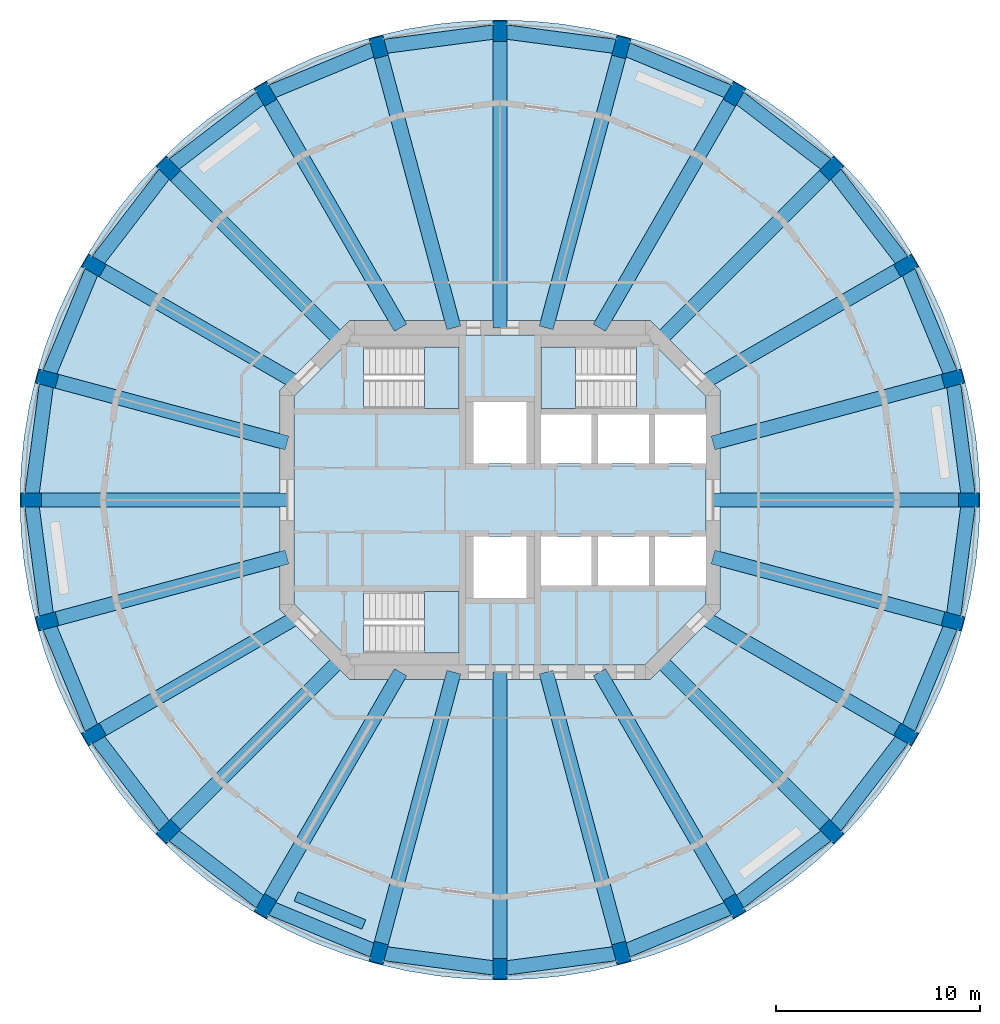
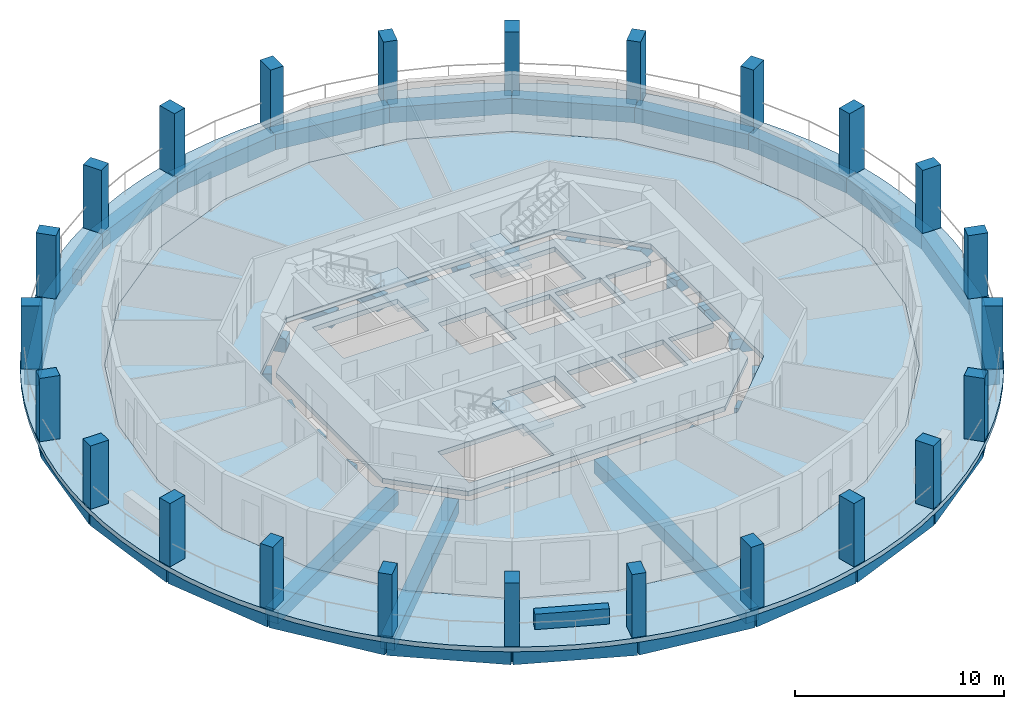
# One storey, part 1 of 9: 48 beams, 24 columns, 6 slabs, 1 wall, 3 elements without a shape of their own.
"""IFC4 building model written with IfcOpenShell, lengths in metres."""

from ifc_helpers import new_model, si_unit, direction, frame, frame_2d, origin, origin_2d, place, context, subcontext, project, spatial, polyline, rectangle, outline, extrude, material, layer, layer_set, material_profile, profile_set, type_object, element, aggregate, save


model = new_model("IFC4")

# Units and contexts
model_context = context("Model", 3, precision=1e-05, world=origin(), true_north=direction((0.0, 1.0)))
body_context = subcontext(model_context, "Body", "Model", "MODEL_VIEW")
ifc_project = project(units=[si_unit("LENGTHUNIT", "METRE"), si_unit("AREAUNIT", "SQUARE_METRE"), si_unit("VOLUMEUNIT", "CUBIC_METRE"), si_unit("PLANEANGLEUNIT", "RADIAN"), si_unit("MASSUNIT", "GRAM", prefix="KILO")], contexts=[model_context])

# Site, building, storey
site_placement = place(None, origin())
site = spatial("IfcSite", under=ifc_project, at=site_placement, CompositionType="ELEMENT")
building_placement = place(site_placement, origin())
building = spatial("IfcBuilding", under=site, at=building_placement, Name="Torre Triforio", CompositionType="ELEMENT")
storey_placement = place(building_placement, frame((0.0, 0.0, 211.300048828125)))
storey = spatial("IfcBuildingStorey", under=building, at=storey_placement, Name="L48", CompositionType="ELEMENT", Elevation=211.300048828125)

# Columns
ifc_material_1 = material(Name="Concrete C50", Category="concrete")
ifc_material_profile_1 = material_profile(ifc_material_1, rectangle(XDim=0.699951171875, YDim=1.0, at=origin_2d()), Name="RC 700x1000")
ifc_profile_set_1 = profile_set([ifc_material_profile_1], Name="Concrete C50")
column_type = type_object("IfcColumnType", Name="Pier RC 700x1000 C50", PredefinedType="COLUMN", material=ifc_profile_set_1)
for number, where, z_axis, x_axis, name in (
    (1, (23.0, 0.0, 0.0), (0.0, 0.0, 1.0), (0.0, 1.0, 0.0), "COL.R.L48.00"),
    (2, (22.21630859375, 5.952880859375, 0.0), (0.0, 0.0, 1.0), (-0.258819045103, 0.965925826289, 0.0), "COL.R.L48.01"),
    (3, (19.918701171875, 11.5, 0.0), (0.0, 0.0, 1.0), (-0.5, 0.866025403784, 0.0), "COL.R.L48.02"),
    (4, (16.263427734375, 16.263427734375, 0.0), (0.0, 0.0, 1.0), (-0.707106781187, 0.707106781187, 0.0), "COL.R.L48.03"),
    (5, (11.5, 19.918701171875, 0.0), (0.0, 0.0, 1.0), (-0.866025403784, 0.5, 0.0), "COL.R.L48.04"),
    (6, (5.952880859375, 22.21630859375, 0.0), (0.0, 0.0, 1.0), (-0.965925826289, 0.258819045103, 0.0), "COL.R.L48.05"),
    (7, (0.0, 23.0, 0.0), (0.0, 0.0, 1.0), (-1.0, 0.0, 0.0), "COL.R.L48.06"),
    (8, (-5.952880859375, 22.21630859375, 0.0), (0.0, 0.0, 1.0), (-0.965925826289, -0.258819045103, 0.0), "COL.R.L48.07"),
    (9, (-11.5, 19.918701171875, 0.0), (0.0, 0.0, 1.0), (-0.866025403784, -0.5, 0.0), "COL.R.L48.08"),
    (10, (-16.263427734375, 16.263427734375, 0.0), (0.0, 0.0, 1.0), (-0.707106781187, -0.707106781187, 0.0), "COL.R.L48.09"),
    (11, (-19.918701171875, 11.5, 0.0), (0.0, 0.0, 1.0), (-0.5, -0.866025403784, 0.0), "COL.R.L48.10"),
    (12, (-22.21630859375, 5.952880859375, 0.0), (0.0, 0.0, 1.0), (-0.258819045103, -0.965925826289, 0.0), "COL.R.L48.11"),
    (13, (-23.0, 0.0, 0.0), (0.0, 0.0, 1.0), (0.0, -1.0, 0.0), "COL.R.L48.12"),
    (14, (-22.21630859375, -5.952880859375, 0.0), (0.0, 0.0, 1.0), (0.258819045103, -0.965925826289, 0.0), "COL.R.L48.13"),
    (15, (-19.918701171875, -11.5, 0.0), (0.0, 0.0, 1.0), (0.5, -0.866025403784, 0.0), "COL.R.L48.14"),
    (16, (-16.263427734375, -16.263427734375, 0.0), (0.0, 0.0, 1.0), (0.707106781187, -0.707106781187, 0.0), "COL.R.L48.15"),
    (17, (-11.5, -19.918701171875, 0.0), (0.0, 0.0, 1.0), (0.866025403784, -0.5, 0.0), "COL.R.L48.16"),
    (18, (-5.952880859375, -22.21630859375, 0.0), (0.0, 0.0, 1.0), (0.965925826289, -0.258819045103, 0.0), "COL.R.L48.17"),
    (19, (0.0, -23.0, 0.0), (0.0, 0.0, 1.0), (1.0, 0.0, 0.0), "COL.R.L48.18"),
    (20, (5.952880859375, -22.21630859375, 0.0), (0.0, 0.0, 1.0), (0.965925826289, 0.258819045103, 0.0), "COL.R.L48.19"),
    (21, (11.5, -19.918701171875, 0.0), (0.0, 0.0, 1.0), (0.866025403784, 0.5, 0.0), "COL.R.L48.20"),
    (22, (16.263427734375, -16.263427734375, 0.0), (0.0, 0.0, 1.0), (0.707106781187, 0.707106781187, 0.0), "COL.R.L48.21"),
    (23, (19.918701171875, -11.5, 0.0), (0.0, 0.0, 1.0), (0.5, 0.866025403784, 0.0), "COL.R.L48.22"),
    (24, (22.21630859375, -5.952880859375, 0.0), (0.0, 0.0, 1.0), (0.258819045103, 0.965925826289, 0.0), "COL.R.L48.23"),
):
    element("IfcColumn", number, at=place(storey_placement, frame(where, z_axis=z_axis, x_axis=x_axis)), inside=storey, type_object=column_type, Name=name, PredefinedType="COLUMN", context=body_context, shape_type="SweptSolid", body=[
        extrude(rectangle(XDim=0.699951171875, YDim=1.0, at=origin_2d()), origin(), (0.0, 0.0, 1.0), 3.699951171875),
    ])

# Beams
ifc_material_2 = material(Name="Concrete C40", Category="concrete")
ifc_material_profile_2 = material_profile(ifc_material_2, rectangle(XDim=0.699951171875, YDim=0.800048828125, at=origin_2d()), Name="RC 700x800")
ifc_profile_set_2 = profile_set([ifc_material_profile_2], Name="Concrete C40")
beam_type_1 = type_object("IfcBeamType", Name="Radial beam RC 700x800 C40", PredefinedType="BEAM", material=ifc_profile_set_2)
beam_1_placement = place(storey_placement, frame((10.449951171875, 0.0, -0.679931640625), z_axis=(1.0, 0.0, 0.0), x_axis=(0.0, 1.0, 0.0)))
element("IfcBeam", 25, at=beam_1_placement, inside=storey, type_object=beam_type_1, Name="BM.R.L48.00", PredefinedType="BEAM", context=body_context, shape_type="SweptSolid", body=[
    extrude(rectangle(XDim=0.699951171875, YDim=0.800048828125, at=origin_2d()), origin(), (0.0, 0.0, 1.0), 12.550048828125),
])
beam_2_placement = place(storey_placement, frame((10.449951171875, 2.800048828125, -0.679931640625), z_axis=(0.965924880947, 0.258822573141, 0.0), x_axis=(-0.258822573141, 0.965924880947, 0.0)))
element("IfcBeam", 26, at=beam_2_placement, inside=storey, type_object=beam_type_1, Name="BM.R.L48.01", PredefinedType="BEAM", context=body_context, shape_type="SweptSolid", body=[
    extrude(rectangle(XDim=0.699951171875, YDim=0.800048828125, at=origin_2d()), origin(), (0.0, 0.0, 1.0), 12.181396484375),
])
beam_3_placement = place(storey_placement, frame((9.9501953125, 5.744873046875, -0.679931640625), z_axis=(0.866032648629, 0.499987451351, 0.0), x_axis=(-0.499987451351, 0.866032648629, 0.0)))
element("IfcBeam", 27, at=beam_3_placement, inside=storey, type_object=beam_type_1, Name="BM.R.L48.02", PredefinedType="BEAM", context=body_context, shape_type="SweptSolid", body=[
    extrude(rectangle(XDim=0.699951171875, YDim=0.800048828125, at=origin_2d()), origin(), (0.0, 0.0, 1.0), 11.510498046875),
])
beam_4_placement = place(storey_placement, frame((7.847412109375, 7.847412109375, -0.679931640625), z_axis=(0.707106781187, 0.707106781187, 0.0), x_axis=(-0.707106781187, 0.707106781187, 0.0)))
element("IfcBeam", 28, at=beam_4_placement, inside=storey, type_object=beam_type_1, Name="BM.R.L48.03", PredefinedType="BEAM", context=body_context, shape_type="SweptSolid", body=[
    extrude(rectangle(XDim=0.699951171875, YDim=0.800048828125, at=origin_2d()), origin(), (0.0, 0.0, 1.0), 11.902099609375),
])
beam_5_placement = place(storey_placement, frame((4.878662109375, 8.449951171875, -0.679931640625), z_axis=(0.499991617607, 0.866030243307, 0.0), x_axis=(-0.866030243307, 0.499991617607, 0.0)))
element("IfcBeam", 29, at=beam_5_placement, inside=storey, type_object=beam_type_1, Name="BM.R.L48.04", PredefinedType="BEAM", context=body_context, shape_type="SweptSolid", body=[
    extrude(rectangle(XDim=0.699951171875, YDim=0.800048828125, at=origin_2d()), origin(), (0.0, 0.0, 1.0), 13.242919921875),
])
beam_6_placement = place(storey_placement, frame((2.26416015625, 8.449951171875, -0.679931640625), z_axis=(0.258821424719, 0.96592518867, 0.0), x_axis=(-0.96592518867, 0.258821424719, 0.0)))
element("IfcBeam", 30, at=beam_6_placement, inside=storey, type_object=beam_type_1, Name="BM.R.L48.05", PredefinedType="BEAM", context=body_context, shape_type="SweptSolid", body=[
    extrude(rectangle(XDim=0.699951171875, YDim=0.800048828125, at=origin_2d()), origin(), (0.0, 0.0, 1.0), 14.251953125),
])
beam_7_placement = place(storey_placement, frame((0.0, 8.449951171875, -0.679931640625), z_axis=(0.0, 1.0, 0.0), x_axis=(-1.0, 0.0, 0.0)))
element("IfcBeam", 31, at=beam_7_placement, inside=storey, type_object=beam_type_1, Name="BM.R.L48.06", PredefinedType="BEAM", context=body_context, shape_type="SweptSolid", body=[
    extrude(rectangle(XDim=0.699951171875, YDim=0.800048828125, at=origin_2d()), origin(), (0.0, 0.0, 1.0), 14.550048828125),
])
beam_8_placement = place(storey_placement, frame((-2.26416015625, 8.449951171875, -0.679931640625), z_axis=(-0.258821424719, 0.96592518867, 0.0), x_axis=(-0.96592518867, -0.258821424719, 0.0)))
element("IfcBeam", 32, at=beam_8_placement, inside=storey, type_object=beam_type_1, Name="BM.R.L48.07", PredefinedType="BEAM", context=body_context, shape_type="SweptSolid", body=[
    extrude(rectangle(XDim=0.699951171875, YDim=0.800048828125, at=origin_2d()), origin(), (0.0, 0.0, 1.0), 14.251953125),
])
beam_9_placement = place(storey_placement, frame((-4.878662109375, 8.449951171875, -0.679931640625), z_axis=(-0.499991617607, 0.866030243307, 0.0), x_axis=(-0.866030243307, -0.499991617607, 0.0)))
element("IfcBeam", 33, at=beam_9_placement, inside=storey, type_object=beam_type_1, Name="BM.R.L48.08", PredefinedType="BEAM", context=body_context, shape_type="SweptSolid", body=[
    extrude(rectangle(XDim=0.699951171875, YDim=0.800048828125, at=origin_2d()), origin(), (0.0, 0.0, 1.0), 13.242919921875),
])
beam_10_placement = place(storey_placement, frame((-7.847412109375, 7.847412109375, -0.679931640625), z_axis=(-0.707106781187, 0.707106781187, 0.0), x_axis=(-0.707106781187, -0.707106781187, 0.0)))
element("IfcBeam", 34, at=beam_10_placement, inside=storey, type_object=beam_type_1, Name="BM.R.L48.09", PredefinedType="BEAM", context=body_context, shape_type="SweptSolid", body=[
    extrude(rectangle(XDim=0.699951171875, YDim=0.800048828125, at=origin_2d()), origin(), (0.0, 0.0, 1.0), 11.902099609375),
])
beam_11_placement = place(storey_placement, frame((-9.9501953125, 5.744873046875, -0.679931640625), z_axis=(-0.866032648629, 0.499987451351, 0.0), x_axis=(-0.499987451351, -0.866032648629, 0.0)))
element("IfcBeam", 35, at=beam_11_placement, inside=storey, type_object=beam_type_1, Name="BM.R.L48.10", PredefinedType="BEAM", context=body_context, shape_type="SweptSolid", body=[
    extrude(rectangle(XDim=0.699951171875, YDim=0.800048828125, at=origin_2d()), origin(), (0.0, 0.0, 1.0), 11.510498046875),
])
beam_12_placement = place(storey_placement, frame((-10.449951171875, 2.800048828125, -0.679931640625), z_axis=(-0.965924880947, 0.258822573141, 0.0), x_axis=(-0.258822573141, -0.965924880947, 0.0)))
element("IfcBeam", 36, at=beam_12_placement, inside=storey, type_object=beam_type_1, Name="BM.R.L48.11", PredefinedType="BEAM", context=body_context, shape_type="SweptSolid", body=[
    extrude(rectangle(XDim=0.699951171875, YDim=0.800048828125, at=origin_2d()), origin(), (0.0, 0.0, 1.0), 12.181396484375),
])
beam_13_placement = place(storey_placement, frame((-10.449951171875, 0.0, -0.679931640625), z_axis=(-1.0, 0.0, 0.0), x_axis=(0.0, -1.0, 0.0)))
element("IfcBeam", 37, at=beam_13_placement, inside=storey, type_object=beam_type_1, Name="BM.R.L48.12", PredefinedType="BEAM", context=body_context, shape_type="SweptSolid", body=[
    extrude(rectangle(XDim=0.699951171875, YDim=0.800048828125, at=origin_2d()), origin(), (0.0, 0.0, 1.0), 12.550048828125),
])
beam_14_placement = place(storey_placement, frame((-10.449951171875, -2.800048828125, -0.679931640625), z_axis=(-0.965924880947, -0.258822573141, 0.0), x_axis=(0.258822573141, -0.965924880947, 0.0)))
element("IfcBeam", 38, at=beam_14_placement, inside=storey, type_object=beam_type_1, Name="BM.R.L48.13", PredefinedType="BEAM", context=body_context, shape_type="SweptSolid", body=[
    extrude(rectangle(XDim=0.699951171875, YDim=0.800048828125, at=origin_2d()), origin(), (0.0, 0.0, 1.0), 12.181396484375),
])
beam_15_placement = place(storey_placement, frame((-9.9501953125, -5.744873046875, -0.679931640625), z_axis=(-0.866032648629, -0.499987451351, 0.0), x_axis=(0.499987451351, -0.866032648629, 0.0)))
element("IfcBeam", 39, at=beam_15_placement, inside=storey, type_object=beam_type_1, Name="BM.R.L48.14", PredefinedType="BEAM", context=body_context, shape_type="SweptSolid", body=[
    extrude(rectangle(XDim=0.699951171875, YDim=0.800048828125, at=origin_2d()), origin(), (0.0, 0.0, 1.0), 11.510498046875),
])
beam_16_placement = place(storey_placement, frame((-7.847412109375, -7.847412109375, -0.679931640625), z_axis=(-0.707106781187, -0.707106781187, 0.0), x_axis=(0.707106781187, -0.707106781187, 0.0)))
element("IfcBeam", 40, at=beam_16_placement, inside=storey, type_object=beam_type_1, Name="BM.R.L48.15", PredefinedType="BEAM", context=body_context, shape_type="SweptSolid", body=[
    extrude(rectangle(XDim=0.699951171875, YDim=0.800048828125, at=origin_2d()), origin(), (0.0, 0.0, 1.0), 11.902099609375),
])
beam_17_placement = place(storey_placement, frame((-4.878662109375, -8.449951171875, -0.679931640625), z_axis=(-0.499991617607, -0.866030243307, 0.0), x_axis=(0.866030243307, -0.499991617607, 0.0)))
element("IfcBeam", 41, at=beam_17_placement, inside=storey, type_object=beam_type_1, Name="BM.R.L48.16", PredefinedType="BEAM", context=body_context, shape_type="SweptSolid", body=[
    extrude(rectangle(XDim=0.699951171875, YDim=0.800048828125, at=origin_2d()), origin(), (0.0, 0.0, 1.0), 13.242919921875),
])
beam_18_placement = place(storey_placement, frame((-2.26416015625, -8.449951171875, -0.679931640625), z_axis=(-0.258821424719, -0.96592518867, 0.0), x_axis=(0.96592518867, -0.258821424719, 0.0)))
element("IfcBeam", 42, at=beam_18_placement, inside=storey, type_object=beam_type_1, Name="BM.R.L48.17", PredefinedType="BEAM", context=body_context, shape_type="SweptSolid", body=[
    extrude(rectangle(XDim=0.699951171875, YDim=0.800048828125, at=origin_2d()), origin(), (0.0, 0.0, 1.0), 14.251953125),
])
beam_19_placement = place(storey_placement, frame((0.0, -8.449951171875, -0.679931640625), z_axis=(0.0, -1.0, 0.0), x_axis=(1.0, 0.0, 0.0)))
element("IfcBeam", 43, at=beam_19_placement, inside=storey, type_object=beam_type_1, Name="BM.R.L48.18", PredefinedType="BEAM", context=body_context, shape_type="SweptSolid", body=[
    extrude(rectangle(XDim=0.699951171875, YDim=0.800048828125, at=origin_2d()), origin(), (0.0, 0.0, 1.0), 14.550048828125),
])
beam_20_placement = place(storey_placement, frame((2.26416015625, -8.449951171875, -0.679931640625), z_axis=(0.258821424719, -0.96592518867, 0.0), x_axis=(0.96592518867, 0.258821424719, 0.0)))
element("IfcBeam", 44, at=beam_20_placement, inside=storey, type_object=beam_type_1, Name="BM.R.L48.19", PredefinedType="BEAM", context=body_context, shape_type="SweptSolid", body=[
    extrude(rectangle(XDim=0.699951171875, YDim=0.800048828125, at=origin_2d()), origin(), (0.0, 0.0, 1.0), 14.251953125),
])
beam_21_placement = place(storey_placement, frame((4.878662109375, -8.449951171875, -0.679931640625), z_axis=(0.499991617607, -0.866030243307, 0.0), x_axis=(0.866030243307, 0.499991617607, 0.0)))
element("IfcBeam", 45, at=beam_21_placement, inside=storey, type_object=beam_type_1, Name="BM.R.L48.20", PredefinedType="BEAM", context=body_context, shape_type="SweptSolid", body=[
    extrude(rectangle(XDim=0.699951171875, YDim=0.800048828125, at=origin_2d()), origin(), (0.0, 0.0, 1.0), 13.242919921875),
])
beam_22_placement = place(storey_placement, frame((7.847412109375, -7.847412109375, -0.679931640625), z_axis=(0.707106781187, -0.707106781187, 0.0), x_axis=(0.707106781187, 0.707106781187, 0.0)))
element("IfcBeam", 46, at=beam_22_placement, inside=storey, type_object=beam_type_1, Name="BM.R.L48.21", PredefinedType="BEAM", context=body_context, shape_type="SweptSolid", body=[
    extrude(rectangle(XDim=0.699951171875, YDim=0.800048828125, at=origin_2d()), origin(), (0.0, 0.0, 1.0), 11.902099609375),
])
beam_23_placement = place(storey_placement, frame((9.9501953125, -5.744873046875, -0.679931640625), z_axis=(0.866032648629, -0.499987451351, 0.0), x_axis=(0.499987451351, 0.866032648629, 0.0)))
element("IfcBeam", 47, at=beam_23_placement, inside=storey, type_object=beam_type_1, Name="BM.R.L48.22", PredefinedType="BEAM", context=body_context, shape_type="SweptSolid", body=[
    extrude(rectangle(XDim=0.699951171875, YDim=0.800048828125, at=origin_2d()), origin(), (0.0, 0.0, 1.0), 11.510498046875),
])
beam_24_placement = place(storey_placement, frame((10.449951171875, -2.800048828125, -0.679931640625), z_axis=(0.965924880947, -0.258822573141, 0.0), x_axis=(0.258822573141, 0.965924880947, 0.0)))
element("IfcBeam", 48, at=beam_24_placement, inside=storey, type_object=beam_type_1, Name="BM.R.L48.23", PredefinedType="BEAM", context=body_context, shape_type="SweptSolid", body=[
    extrude(rectangle(XDim=0.699951171875, YDim=0.800048828125, at=origin_2d()), origin(), (0.0, 0.0, 1.0), 12.181396484375),
])
ifc_material_profile_3 = material_profile(ifc_material_2, rectangle(XDim=0.699951171875, YDim=0.89990234375, at=origin_2d()), Name="RC 700x900")
ifc_profile_set_3 = profile_set([ifc_material_profile_3], Name="Concrete C40")
beam_type_2 = type_object("IfcBeamType", Name="Spandrel beam RC 700x900 C40", PredefinedType="SPANDREL", material=ifc_profile_set_3)
for number, where, z_axis, x_axis, name in (
    (49, (23.0, 0.0, -0.72998046875), (-0.130522880875, 0.991445297315, 0.0), (-0.991445297315, -0.130522880875, 0.0), "BM.S.L48.00"),
    (50, (22.21630859375, 5.952880859375, -0.72998046875), (-0.382671411433, 0.923884511653, 0.0), (-0.923884511653, -0.382671411433, 0.0), "BM.S.L48.01"),
    (51, (19.918701171875, 11.5, -0.72998046875), (-0.608778912074, 0.793339924758, 0.0), (-0.793339924758, -0.608778912074, 0.0), "BM.S.L48.02"),
    (52, (16.263427734375, 16.263427734375, -0.72998046875), (-0.793339924758, 0.608778912074, 0.0), (-0.608778912074, -0.793339924758, 0.0), "BM.S.L48.03"),
    (53, (11.5, 19.918701171875, -0.72998046875), (-0.923884511653, 0.382671411433, 0.0), (-0.382671411433, -0.923884511653, 0.0), "BM.S.L48.04"),
    (54, (5.952880859375, 22.21630859375, -0.72998046875), (-0.991445297315, 0.130522880875, 0.0), (-0.130522880875, -0.991445297315, 0.0), "BM.S.L48.05"),
    (55, (0.0, 23.0, -0.72998046875), (-0.991445297315, -0.130522880875, 0.0), (0.130522880875, -0.991445297315, 0.0), "BM.S.L48.06"),
    (56, (-5.952880859375, 22.21630859375, -0.72998046875), (-0.923884511653, -0.382671411433, 0.0), (0.382671411433, -0.923884511653, 0.0), "BM.S.L48.07"),
    (57, (-11.5, 19.918701171875, -0.72998046875), (-0.793339924758, -0.608778912074, 0.0), (0.608778912074, -0.793339924758, 0.0), "BM.S.L48.08"),
    (58, (-16.263427734375, 16.263427734375, -0.72998046875), (-0.608778912074, -0.793339924758, 0.0), (0.793339924758, -0.608778912074, 0.0), "BM.S.L48.09"),
    (59, (-19.918701171875, 11.5, -0.72998046875), (-0.382671411433, -0.923884511653, 0.0), (0.923884511653, -0.382671411433, 0.0), "BM.S.L48.10"),
    (60, (-22.21630859375, 5.952880859375, -0.72998046875), (-0.130522880875, -0.991445297315, 0.0), (0.991445297315, -0.130522880875, 0.0), "BM.S.L48.11"),
    (61, (-23.0, 0.0, -0.72998046875), (0.130522880875, -0.991445297315, 0.0), (0.991445297315, 0.130522880875, 0.0), "BM.S.L48.12"),
    (62, (-22.21630859375, -5.952880859375, -0.72998046875), (0.382671411433, -0.923884511653, 0.0), (0.923884511653, 0.382671411433, 0.0), "BM.S.L48.13"),
    (63, (-19.918701171875, -11.5, -0.72998046875), (0.608778912074, -0.793339924758, 0.0), (0.793339924758, 0.608778912074, 0.0), "BM.S.L48.14"),
    (64, (-16.263427734375, -16.263427734375, -0.72998046875), (0.793339924758, -0.608778912074, 0.0), (0.608778912074, 0.793339924758, 0.0), "BM.S.L48.15"),
    (65, (-11.5, -19.918701171875, -0.72998046875), (0.923884511653, -0.382671411433, 0.0), (0.382671411433, 0.923884511653, 0.0), "BM.S.L48.16"),
    (66, (-5.952880859375, -22.21630859375, -0.72998046875), (0.991445297315, -0.130522880875, 0.0), (0.130522880875, 0.991445297315, 0.0), "BM.S.L48.17"),
    (67, (0.0, -23.0, -0.72998046875), (0.991445297315, 0.130522880875, 0.0), (-0.130522880875, 0.991445297315, 0.0), "BM.S.L48.18"),
    (68, (5.952880859375, -22.21630859375, -0.72998046875), (0.923884511653, 0.382671411433, 0.0), (-0.382671411433, 0.923884511653, 0.0), "BM.S.L48.19"),
    (69, (11.5, -19.918701171875, -0.72998046875), (0.793339924758, 0.608778912074, 0.0), (-0.608778912074, 0.793339924758, 0.0), "BM.S.L48.20"),
    (70, (16.263427734375, -16.263427734375, -0.72998046875), (0.608778912074, 0.793339924758, 0.0), (-0.793339924758, 0.608778912074, 0.0), "BM.S.L48.21"),
    (71, (19.918701171875, -11.5, -0.72998046875), (0.382671411433, 0.923884511653, 0.0), (-0.923884511653, 0.382671411433, 0.0), "BM.S.L48.22"),
    (72, (22.21630859375, -5.952880859375, -0.72998046875), (0.130522880875, 0.991445297315, 0.0), (-0.991445297315, 0.130522880875, 0.0), "BM.S.L48.23"),
):
    element("IfcBeam", number, at=place(storey_placement, frame(where, z_axis=z_axis, x_axis=x_axis)), inside=storey, type_object=beam_type_2, Name=name, PredefinedType="SPANDREL", context=body_context, shape_type="SweptSolid", body=[
        extrude(rectangle(XDim=0.699951171875, YDim=0.89990234375, at=origin_2d()), origin(), (0.0, 0.0, 1.0), 6.004150390625),
    ])

# Slabs
ifc_layer_1 = layer(ifc_material_1, 0.280029296875)
ifc_layer_set_1 = layer_set([ifc_layer_1], Name="Concrete C50")
slab_type_1 = type_object("IfcSlabType", Name="Core floor slab 280 mm C50 REI 120", PredefinedType="FLOOR", material=ifc_layer_set_1)
slab_1_placement = place(storey_placement, frame((0.0, 0.0, -0.280029296875)))
element("IfcSlab", 73, at=slab_1_placement, inside=storey, type_object=slab_type_1, Name="Core floor slab", PredefinedType="FLOOR", context=body_context, shape_type="SweptSolid", body=[
    extrude(outline(polyline([(10.10009765625, -5.10009765625), (7.10009765625, -8.10009765625), (-7.10009765625, -8.10009765625), (-10.10009765625, -5.10009765625), (-10.10009765625, 5.10009765625), (-7.10009765625, 8.10009765625), (7.10009765625, 8.10009765625), (10.10009765625, 5.10009765625), (10.10009765625, 4.199951171875), (7.60009765625, 4.199951171875), (7.60009765625, 1.800048828125), (10.10009765625, 1.800048828125), (10.10009765625, -1.800048828125), (7.60009765625, -1.800048828125), (7.60009765625, -4.199951171875), (10.10009765625, -4.199951171875), (10.10009765625, -5.10009765625)]), holes=[polyline([(-6.696044921875, -4.5), (-6.696044921875, -7.5), (-2.0, -7.5), (-2.0, -4.5), (-6.696044921875, -4.5)]), polyline([(-1.300048828125, -1.800048828125), (-1.300048828125, -4.800048828125), (1.300048828125, -4.800048828125), (1.300048828125, -1.800048828125), (-1.300048828125, -1.800048828125)]), polyline([(2.0, -1.800048828125), (2.0, -4.199951171875), (4.5, -4.199951171875), (4.5, -1.800048828125), (2.0, -1.800048828125)]), polyline([(4.5, 4.199951171875), (2.0, 4.199951171875), (2.0, 1.800048828125), (4.5, 1.800048828125), (4.5, 4.199951171875)]), polyline([(1.300048828125, 4.800048828125), (-1.300048828125, 4.800048828125), (-1.300048828125, 1.800048828125), (1.300048828125, 1.800048828125), (1.300048828125, 4.800048828125)]), polyline([(-6.696044921875, 7.5), (-6.696044921875, 4.5), (-2.0, 4.5), (-2.0, 7.5), (-6.696044921875, 7.5)]), polyline([(7.300048828125, -1.800048828125), (4.800048828125, -1.800048828125), (4.800048828125, -4.199951171875), (7.300048828125, -4.199951171875), (7.300048828125, -1.800048828125)]), polyline([(4.800048828125, 4.199951171875), (4.800048828125, 1.800048828125), (7.300048828125, 1.800048828125), (7.300048828125, 4.199951171875), (4.800048828125, 4.199951171875)]), polyline([(6.696044921875, 7.5), (2.0, 7.5), (2.0, 4.5), (6.696044921875, 4.5), (6.696044921875, 7.5)])]), origin(), (0.0, 0.0, 1.0), 0.280029296875),
])
ifc_layer_2 = layer(ifc_material_2, 0.280029296875)
ifc_layer_set_2 = layer_set([ifc_layer_2], Name="Concrete C40")
slab_type_2 = type_object("IfcSlabType", Name="Floor slab 280 C40", PredefinedType="FLOOR", material=ifc_layer_set_2)
slab_2_placement = place(storey_placement, frame((0.0, 0.0, -0.280029296875)))
element("IfcSlab", 74, at=slab_2_placement, inside=storey, type_object=slab_type_2, Name="SL.L48", PredefinedType="FLOOR", context=body_context, shape_type="SweptSolid", body=[
    extrude(outline(polyline([(16.887451171875, -9.75), (18.83544921875, -5.046875), (19.5, 0.0), (18.83544921875, 5.046875), (16.887451171875, 9.75), (13.78857421875, 13.78857421875), (9.75, 16.887451171875), (5.046875, 18.83544921875), (0.0, 19.5), (-5.046875, 18.83544921875), (-9.75, 16.887451171875), (-13.78857421875, 13.78857421875), (-16.887451171875, 9.75), (-18.83544921875, 5.046875), (-19.5, 0.0), (-18.83544921875, -5.046875), (-16.887451171875, -9.75), (-13.78857421875, -13.78857421875), (-9.75, -16.887451171875), (-5.046875, -18.83544921875), (0.0, -19.5), (5.046875, -18.83544921875), (9.75, -16.887451171875), (13.78857421875, -13.78857421875), (16.887451171875, -9.75)]), holes=[polyline([(10.800048828125, 5.389892578125), (10.800048828125, -5.389892578125), (7.389892578125, -8.800048828125), (-7.389892578125, -8.800048828125), (-10.800048828125, -5.389892578125), (-10.800048828125, 5.389892578125), (-7.389892578125, 8.800048828125), (7.389892578125, 8.800048828125), (10.800048828125, 5.389892578125)])]), origin(), (0.0, 0.0, 1.0), 0.280029296875),
])
ifc_layer_3 = layer(ifc_material_2, 0.280029296875)
ifc_layer_set_3 = layer_set([ifc_layer_3], Name="Concrete C40")
slab_type_3 = type_object("IfcSlabType", Name="Loggia slab 280 C40", PredefinedType="FLOOR", material=ifc_layer_set_3)
slab_3_placement = place(storey_placement, frame((0.0, 0.0, -0.280029296875)))
element("IfcSlab", 75, at=slab_3_placement, inside=storey, type_object=slab_type_3, Name="SL.L48.LG", PredefinedType="FLOOR", context=body_context, shape_type="SweptSolid", body=[
    extrude(outline(polyline([(23.49951171875, -1.540283203125), (23.550048828125, 0.0), (23.49951171875, 1.540283203125), (23.3486328125, 3.073974609375), (23.097412109375, 4.594482421875), (22.74755859375, 6.09521484375), (22.30029296875, 7.56982421875), (21.75732421875, 9.01220703125), (21.121337890625, 10.416015625), (20.39501953125, 11.77490234375), (19.5810546875, 13.083740234375), (18.683349609375, 14.33642578125), (17.705810546875, 15.527587890625), (16.65234375, 16.65234375), (15.527587890625, 17.705810546875), (14.33642578125, 18.683349609375), (13.083740234375, 19.5810546875), (11.77490234375, 20.39501953125), (10.416015625, 21.121337890625), (9.01220703125, 21.75732421875), (7.56982421875, 22.30029296875), (6.09521484375, 22.74755859375), (4.594482421875, 23.097412109375), (3.073974609375, 23.3486328125), (1.540283203125, 23.49951171875), (0.0, 23.550048828125), (-1.540283203125, 23.49951171875), (-3.073974609375, 23.3486328125), (-4.594482421875, 23.097412109375), (-6.09521484375, 22.74755859375), (-7.56982421875, 22.30029296875), (-9.01220703125, 21.75732421875), (-10.416015625, 21.121337890625), (-11.77490234375, 20.39501953125), (-13.083740234375, 19.5810546875), (-14.33642578125, 18.683349609375), (-15.527587890625, 17.705810546875), (-16.65234375, 16.65234375), (-17.705810546875, 15.527587890625), (-18.683349609375, 14.33642578125), (-19.5810546875, 13.083740234375), (-20.39501953125, 11.77490234375), (-21.121337890625, 10.416015625), (-21.75732421875, 9.01220703125), (-22.30029296875, 7.56982421875), (-22.74755859375, 6.09521484375), (-23.097412109375, 4.594482421875), (-23.3486328125, 3.073974609375), (-23.49951171875, 1.540283203125), (-23.550048828125, 0.0), (-23.49951171875, -1.540283203125), (-23.3486328125, -3.073974609375), (-23.097412109375, -4.594482421875), (-22.74755859375, -6.09521484375), (-22.30029296875, -7.56982421875), (-21.75732421875, -9.01220703125), (-21.121337890625, -10.416015625), (-20.39501953125, -11.77490234375), (-19.5810546875, -13.083740234375), (-18.683349609375, -14.33642578125), (-17.705810546875, -15.527587890625), (-16.65234375, -16.65234375), (-15.527587890625, -17.705810546875), (-14.33642578125, -18.683349609375), (-13.083740234375, -19.5810546875), (-11.77490234375, -20.39501953125), (-10.416015625, -21.121337890625), (-9.01220703125, -21.75732421875), (-7.56982421875, -22.30029296875), (-6.09521484375, -22.74755859375), (-4.594482421875, -23.097412109375), (-3.073974609375, -23.3486328125), (-1.540283203125, -23.49951171875), (0.0, -23.550048828125), (1.540283203125, -23.49951171875), (3.073974609375, -23.3486328125), (4.594482421875, -23.097412109375), (6.09521484375, -22.74755859375), (7.56982421875, -22.30029296875), (9.01220703125, -21.75732421875), (10.416015625, -21.121337890625), (11.77490234375, -20.39501953125), (13.083740234375, -19.5810546875), (14.33642578125, -18.683349609375), (15.527587890625, -17.705810546875), (16.65234375, -16.65234375), (17.705810546875, -15.527587890625), (18.683349609375, -14.33642578125), (19.5810546875, -13.083740234375), (20.39501953125, -11.77490234375), (21.121337890625, -10.416015625), (21.75732421875, -9.01220703125), (22.30029296875, -7.56982421875), (22.74755859375, -6.09521484375), (23.097412109375, -4.594482421875), (23.3486328125, -3.073974609375), (23.49951171875, -1.540283203125)]), holes=[polyline([(18.83544921875, 5.046875), (19.5, 0.0), (18.83544921875, -5.046875), (16.887451171875, -9.75), (13.78857421875, -13.78857421875), (9.75, -16.887451171875), (5.046875, -18.83544921875), (0.0, -19.5), (-5.046875, -18.83544921875), (-9.75, -16.887451171875), (-13.78857421875, -13.78857421875), (-16.887451171875, -9.75), (-18.83544921875, -5.046875), (-19.5, 0.0), (-18.83544921875, 5.046875), (-16.887451171875, 9.75), (-13.78857421875, 13.78857421875), (-9.75, 16.887451171875), (-5.046875, 18.83544921875), (0.0, 19.5), (5.046875, 18.83544921875), (9.75, 16.887451171875), (13.78857421875, 13.78857421875), (16.887451171875, 9.75), (18.83544921875, 5.046875)])]), origin(), (0.0, 0.0, 1.0), 0.280029296875),
])

# Stair, slab
stair_type = type_object("IfcStairType", Name="STAIR HALF-TURN", PredefinedType="HALF_TURN_STAIR", material=ifc_material_2)
stair_1_placement = place(storey_placement, origin())
stair_1 = element("IfcStair", 76, at=stair_1_placement, inside=storey, type_object=stair_type, Name="Exit stair 1", PredefinedType="HALF_TURN_STAIR")
ifc_layer_4 = layer(ifc_material_2, 0.199951171875)
ifc_layer_set_4 = layer_set([ifc_layer_4], Name="Concrete C40")
slab_type_4 = type_object("IfcSlabType", Name="STAIR LANDING 200", PredefinedType="LANDING", material=ifc_layer_set_4)
slab_4_placement = place(storey_placement, frame((0.0, 0.0, 1.64990234375)))
slab_4 = element("IfcSlab", 77, at=slab_4_placement, type_object=slab_type_4, Name="ST1 landing 1", PredefinedType="LANDING", context=body_context, shape_type="SweptSolid", body=[
    extrude(outline(polyline([(-2.0, 4.5), (-2.0, 7.5), (-3.699951171875, 7.5), (-3.699951171875, 4.5), (-2.0, 4.5)])), origin(), (0.0, 0.0, 1.0), 0.199951171875),
])
aggregate(stair_1, [slab_4])

stair_2_placement = place(storey_placement, origin())
stair_2 = element("IfcStair", 78, at=stair_2_placement, inside=storey, type_object=stair_type, Name="Exit stair 2", PredefinedType="HALF_TURN_STAIR")
slab_5_placement = place(storey_placement, frame((0.0, 0.0, 1.64990234375)))
slab_5 = element("IfcSlab", 79, at=slab_5_placement, type_object=slab_type_4, Name="ST2 landing 1", PredefinedType="LANDING", context=body_context, shape_type="SweptSolid", body=[
    extrude(outline(polyline([(3.699951171875, 4.5), (3.699951171875, 7.5), (2.0, 7.5), (2.0, 4.5), (3.699951171875, 4.5)])), origin(), (0.0, 0.0, 1.0), 0.199951171875),
])
aggregate(stair_2, [slab_5])

stair_3_placement = place(storey_placement, origin())
stair_3 = element("IfcStair", 80, at=stair_3_placement, inside=storey, type_object=stair_type, Name="Exit stair 3", PredefinedType="HALF_TURN_STAIR")
slab_6_placement = place(storey_placement, frame((0.0, 0.0, 1.64990234375)))
slab_6 = element("IfcSlab", 81, at=slab_6_placement, type_object=slab_type_4, Name="ST3 landing 1", PredefinedType="LANDING", context=body_context, shape_type="SweptSolid", body=[
    extrude(outline(polyline([(-2.0, -7.5), (-2.0, -4.5), (-3.699951171875, -4.5), (-3.699951171875, -7.5), (-2.0, -7.5)])), origin(), (0.0, 0.0, 1.0), 0.199951171875),
])
aggregate(stair_3, [slab_6])

# Wall
ifc_material_3 = material(Name="Limestone cladding", Category="masonry")
ifc_layer_5 = layer(ifc_material_3, 0.10009765625)
ifc_layer_6 = layer(ifc_material_2, 0.39990234375)
ifc_layer_set_5 = layer_set([ifc_layer_5, ifc_layer_6], Name="Limestone cladding / Concrete C40")
wall_type = type_object("IfcWallType", Name="Planter wall 500", PredefinedType="PARAPET", material=ifc_layer_set_5)
wall_placement = place(storey_placement, frame((-10.005615234375, -19.45166015625, 0.0), z_axis=(0.0, 0.0, 1.0), x_axis=(0.923885420167, -0.382669217998, 0.0)))
element("IfcWall", 82, at=wall_placement, inside=storey, type_object=wall_type, Name="Planter L48 bay 17", PredefinedType="PARAPET", context=body_context, shape_type="SweptSolid", body=[
    extrude(rectangle(XDim=3.60009765625, YDim=0.5, at=frame_2d((1.800048828125, 0.0))), origin(), (0.0, 0.0, 1.0), 0.89990234375),
])

save(model, "model.ifc")
